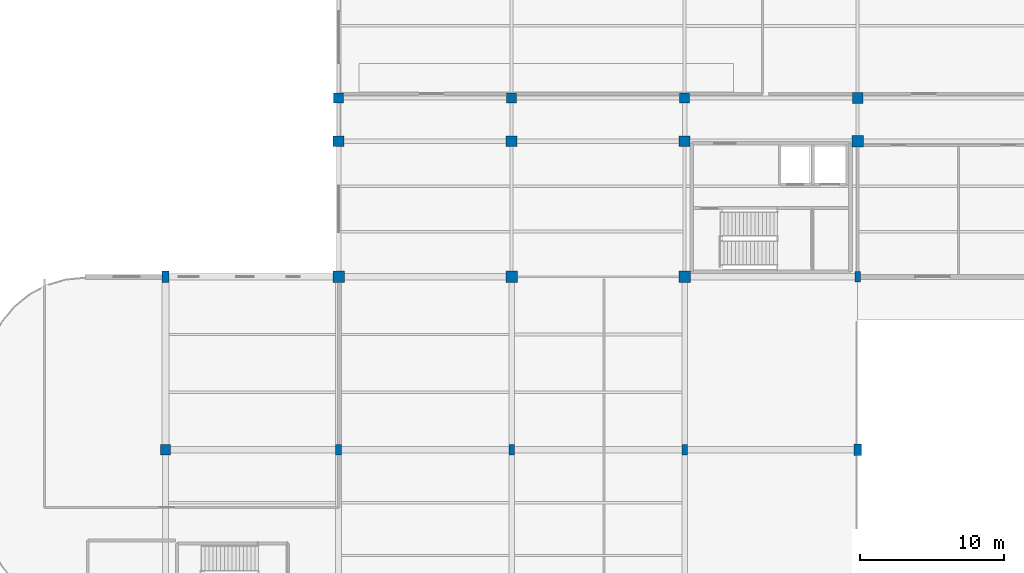
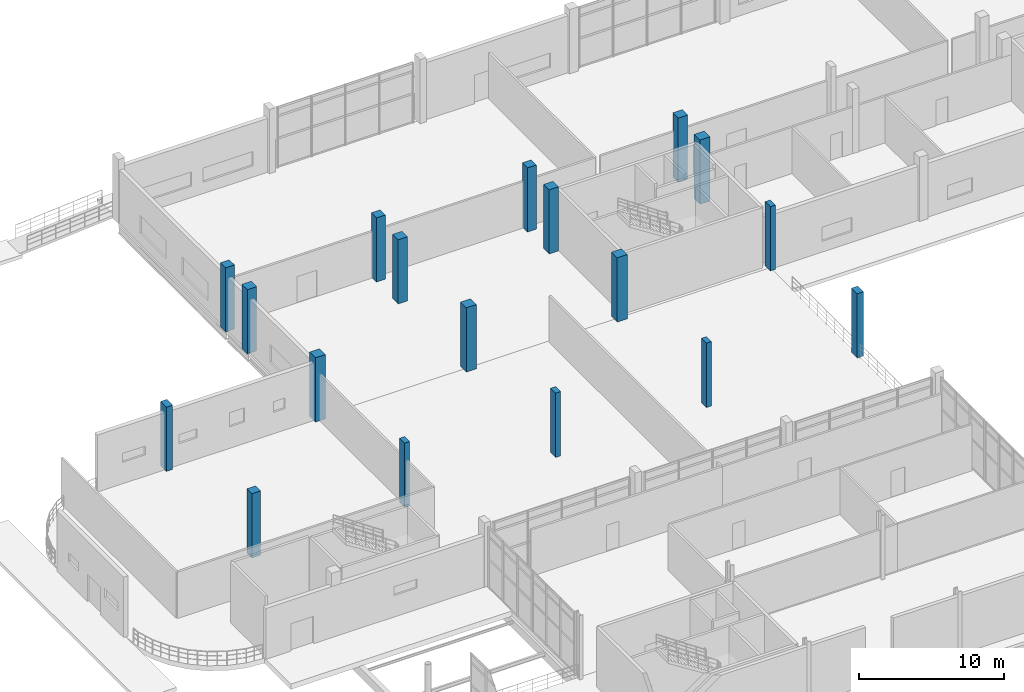
# One storey, part 10 of 85: 18 columns.
"""IFC4 building model written with IfcOpenShell, lengths in metres."""

from ifc_helpers import new_model, si_unit, direction, frame, origin, origin_2d, place, context, subcontext, project, spatial, rectangle, extrude, material, material_profile, profile_set, type_object, element, save


model = new_model("IFC4")

# Units and contexts
model_context = context("Model", 3, precision=1e-05, world=origin(), true_north=direction((0.0, 1.0)))
body_context = subcontext(model_context, "Body", "Model", "MODEL_VIEW")
ifc_project = project(units=[si_unit("LENGTHUNIT", "METRE"), si_unit("AREAUNIT", "SQUARE_METRE"), si_unit("VOLUMEUNIT", "CUBIC_METRE"), si_unit("PLANEANGLEUNIT", "RADIAN"), si_unit("MASSUNIT", "GRAM", prefix="KILO"), si_unit("THERMODYNAMICTEMPERATUREUNIT", "KELVIN"), si_unit("POWERUNIT", "WATT")], contexts=[model_context])

# Site, building, storey
site_placement = place(None, origin())
site = spatial("IfcSite", under=ifc_project, at=site_placement, CompositionType="ELEMENT")
building_placement = place(site_placement, origin())
building = spatial("IfcBuilding", under=site, at=building_placement, Name="Solmara Park Aquatics Centre", CompositionType="ELEMENT")
storey_placement = place(building_placement, origin())
storey = spatial("IfcBuildingStorey", under=building, at=storey_placement, Name="L00", CompositionType="ELEMENT", Elevation=0.0)

# Columns
ifc_material = material(Name="Concrete C40/50", Category="concrete")
ifc_material_profile_1 = material_profile(ifc_material, rectangle(XDim=0.5, YDim=0.800048828125, at=origin_2d()), Name="RC 500x800")
ifc_profile_set_1 = profile_set([ifc_material_profile_1], Name="Concrete C40/50")
column_type_1 = type_object("IfcColumnType", Name="STR-COL-RC500x800", PredefinedType="COLUMN", material=ifc_profile_set_1)
for number, where, z_axis, x_axis, name in (
    (1, (12.60009765625, 108.60009765625, 0.0), (0.0, 0.0, 1.0), (1.0, 0.0, 0.0), "Column L00-0168"),
    (2, (60.60009765625, 96.60009765625, 0.0), (0.0, 0.0, 1.0), (1.0, 0.0, 0.0), "Column L00-0208"),
):
    element("IfcColumn", number, at=place(storey_placement, frame(where, z_axis=z_axis, x_axis=x_axis)), inside=storey, type_object=column_type_1, Name=name, PredefinedType="COLUMN", context=body_context, shape_type="SweptSolid", body=[
        extrude(rectangle(XDim=0.5, YDim=0.800048828125, at=origin_2d()), origin(), (0.0, 0.0, 1.0), 5.39990234375),
    ])
ifc_material_profile_2 = material_profile(ifc_material, rectangle(XDim=0.699951171875, YDim=0.699951171875, at=origin_2d()), Name="RC 700x700")
ifc_profile_set_2 = profile_set([ifc_material_profile_2], Name="Concrete C40/50")
column_type_2 = type_object("IfcColumnType", Name="STR-COL-RC700", PredefinedType="COLUMN", material=ifc_profile_set_2)
for number, where, z_axis, x_axis, name in (
    (3, (12.60009765625, 96.60009765625, 0.0), (0.0, 0.0, 1.0), (1.0, 0.0, 0.0), "Column L00-0167"),
    (4, (24.60009765625, 121.0, 0.0), (0.0, 0.0, 1.0), (1.0, 0.0, 0.0), "Column L00-0177"),
    (5, (36.60009765625, 121.0, 0.0), (0.0, 0.0, 1.0), (1.0, 0.0, 0.0), "Column L00-0187"),
    (6, (48.60009765625, 121.0, 0.0), (0.0, 0.0, 1.0), (1.0, 0.0, 0.0), "Column L00-0197"),
):
    element("IfcColumn", number, at=place(storey_placement, frame(where, z_axis=z_axis, x_axis=x_axis)), inside=storey, type_object=column_type_2, Name=name, PredefinedType="COLUMN", context=body_context, shape_type="SweptSolid", body=[
        extrude(rectangle(XDim=0.699951171875, YDim=0.699951171875, at=origin_2d()), origin(), (0.0, 0.0, 1.0), 5.39990234375),
    ])
ifc_material_profile_3 = material_profile(ifc_material, rectangle(XDim=0.75, YDim=0.75, at=origin_2d()), Name="RC 750x750")
ifc_profile_set_3 = profile_set([ifc_material_profile_3], Name="Concrete C40/50")
column_type_3 = type_object("IfcColumnType", Name="STR-COL-RC750", PredefinedType="COLUMN", material=ifc_profile_set_3)
for number, where, z_axis, x_axis, name in (
    (7, (24.60009765625, 118.0, 0.0), (0.0, 0.0, 1.0), (1.0, 0.0, 0.0), "Column L00-0176"),
    (8, (36.60009765625, 118.0, 0.0), (0.0, 0.0, 1.0), (1.0, 0.0, 0.0), "Column L00-0186"),
    (9, (48.60009765625, 118.0, 0.0), (0.0, 0.0, 1.0), (1.0, 0.0, 0.0), "Column L00-0196"),
    (10, (60.60009765625, 121.0, 0.0), (0.0, 0.0, 1.0), (1.0, 0.0, 0.0), "Column L00-0211"),
):
    element("IfcColumn", number, at=place(storey_placement, frame(where, z_axis=z_axis, x_axis=x_axis)), inside=storey, type_object=column_type_3, Name=name, PredefinedType="COLUMN", context=body_context, shape_type="SweptSolid", body=[
        extrude(rectangle(XDim=0.75, YDim=0.75, at=origin_2d()), origin(), (0.0, 0.0, 1.0), 5.39990234375),
    ])
ifc_material_profile_4 = material_profile(ifc_material, rectangle(XDim=0.800048828125, YDim=0.800048828125, at=origin_2d()), Name="RC 800x800")
ifc_profile_set_4 = profile_set([ifc_material_profile_4], Name="Concrete C40/50")
column_type_4 = type_object("IfcColumnType", Name="STR-COL-RC800", PredefinedType="COLUMN", material=ifc_profile_set_4)
for number, where, z_axis, x_axis, name in (
    (11, (24.60009765625, 108.60009765625, 0.0), (0.0, 0.0, 1.0), (1.0, 0.0, 0.0), "Column L00-0175"),
    (12, (36.60009765625, 108.60009765625, 0.0), (0.0, 0.0, 1.0), (1.0, 0.0, 0.0), "Column L00-0185"),
    (13, (48.60009765625, 108.60009765625, 0.0), (0.0, 0.0, 1.0), (1.0, 0.0, 0.0), "Column L00-0195"),
    (14, (60.60009765625, 118.0, 0.0), (0.0, 0.0, 1.0), (1.0, 0.0, 0.0), "Column L00-0210"),
):
    element("IfcColumn", number, at=place(storey_placement, frame(where, z_axis=z_axis, x_axis=x_axis)), inside=storey, type_object=column_type_4, Name=name, PredefinedType="COLUMN", context=body_context, shape_type="SweptSolid", body=[
        extrude(rectangle(XDim=0.800048828125, YDim=0.800048828125, at=origin_2d()), origin(), (0.0, 0.0, 1.0), 5.39990234375),
    ])
ifc_material_profile_5 = material_profile(ifc_material, rectangle(XDim=0.39990234375, YDim=0.699951171875, at=origin_2d()), Name="RC 400x700")
ifc_profile_set_5 = profile_set([ifc_material_profile_5], Name="Concrete C40/50")
column_type_5 = type_object("IfcColumnType", Name="STR-PIL-RC400x700", PredefinedType="PILASTER", material=ifc_profile_set_5)
for number, where, z_axis, x_axis, name in (
    (15, (24.60009765625, 96.60009765625, 0.0), (0.0, 0.0, 1.0), (1.0, 0.0, 0.0), "Column L00-0174"),
    (16, (36.60009765625, 96.60009765625, 0.0), (0.0, 0.0, 1.0), (1.0, 0.0, 0.0), "Column L00-0184"),
    (17, (48.60009765625, 96.60009765625, 0.0), (0.0, 0.0, 1.0), (1.0, 0.0, 0.0), "Column L00-0194"),
    (18, (60.60009765625, 108.60009765625, 0.0), (0.0, 0.0, 1.0), (1.0, 0.0, 0.0), "Column L00-0209"),
):
    element("IfcColumn", number, at=place(storey_placement, frame(where, z_axis=z_axis, x_axis=x_axis)), inside=storey, type_object=column_type_5, Name=name, PredefinedType="PILASTER", context=body_context, shape_type="SweptSolid", body=[
        extrude(rectangle(XDim=0.39990234375, YDim=0.699951171875, at=origin_2d()), origin(), (0.0, 0.0, 1.0), 5.39990234375),
    ])

save(model, "model.ifc")
